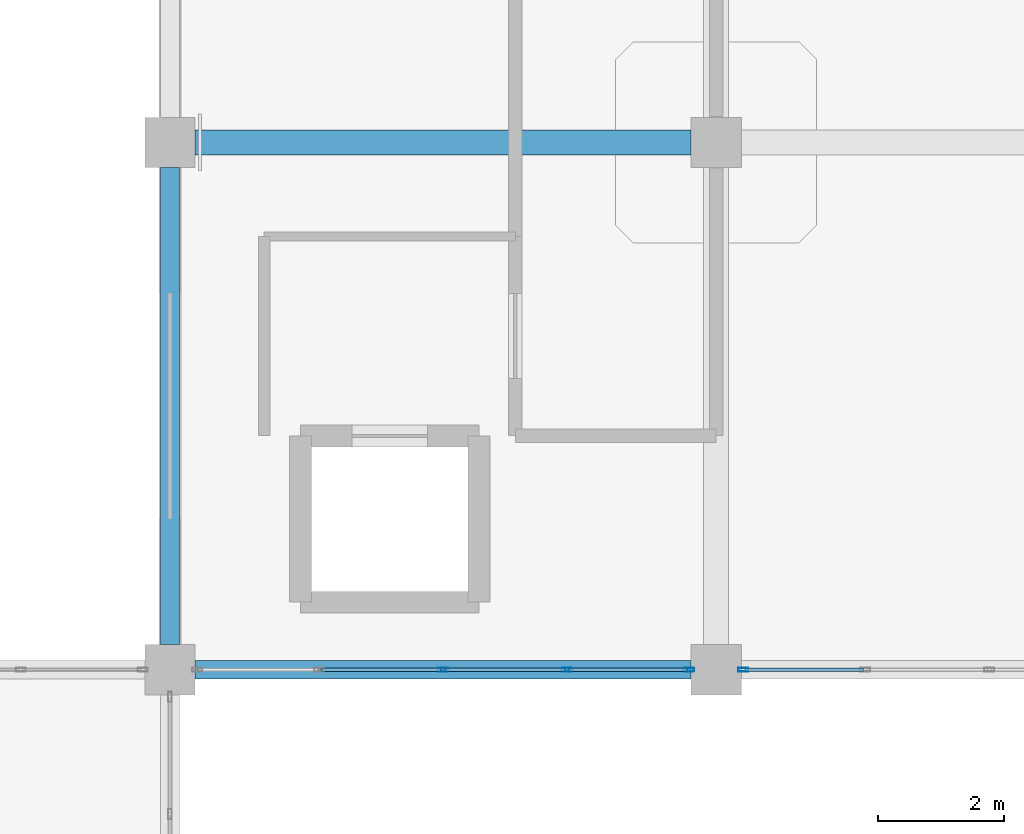
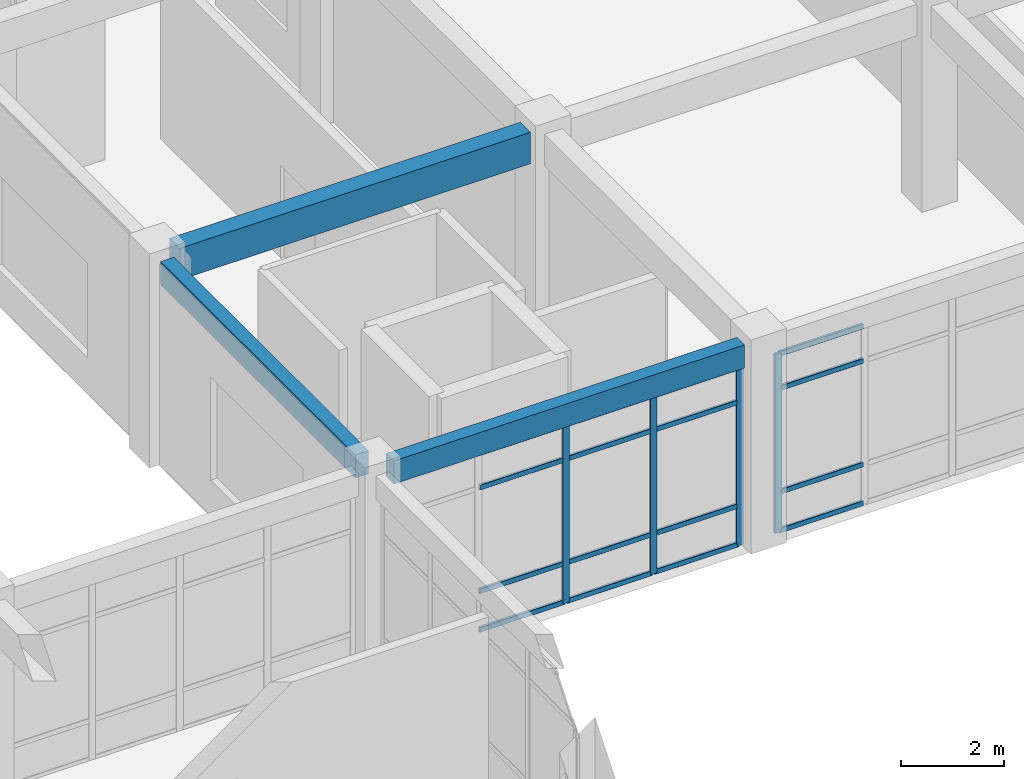
# One storey, part 52 of 96: 20 members, 3 beams, 2 elements without a shape of their own.
"""IFC4 building model written with IfcOpenShell, lengths in metres."""

import ifcopenshell
import ifcopenshell.guid

model = None  # the IFC model being written
_history = None  # IfcOwnerHistory: only IFC2X3 demands one
_inside = {}  # id of a spatial element -> (the spatial element, [elements in it])
_under = {}  # id of a project, library or spatial element -> (it, [spatial elements below it])
_declared = {}  # id of a project -> (the project, [libraries it declares])
_typed = {}  # id of a type object -> (the type object, [elements of that type])
_made_of = {}  # id of a material, layer set ... -> (it, [elements and type objects made of it])


def new_model(schema):
    """Start an empty IFC model of exactly this schema.

    Asked for "IFC4X3", IfcOpenShell would pick the latest addendum, in which some entities
    have other attributes; the version numbers below select the first issue.
    IFC2X3 requires an IfcOwnerHistory on every rooted entity: one is made here for all.
    """
    global model, _history
    if schema == "IFC4X3":
        model = ifcopenshell.file(schema_version=(4, 3, 0, 0))
    else:
        model = ifcopenshell.file(schema=schema)
    _inside.clear()
    _under.clear()
    _declared.clear()
    _typed.clear()
    _made_of.clear()
    _history = None
    if model.schema == "IFC2X3":
        org = make("IfcOrganization", Name="unknown")
        user = make(
            "IfcPersonAndOrganization",
            ThePerson=make("IfcPerson", FamilyName="unknown"),
            TheOrganization=org,
        )
        app = make(
            "IfcApplication",
            ApplicationDeveloper=org,
            Version="unknown",
            ApplicationFullName="unknown",
            ApplicationIdentifier="unknown",
        )
        _history = make(
            "IfcOwnerHistory",
            OwningUser=user,
            OwningApplication=app,
            ChangeAction="ADDED",
            CreationDate=0,
        )
    return model


def make(cls, **values):
    """One entity of the class cls with the attributes given. An attribute that is None is left unset."""
    return model.create_entity(
        cls, **{name: value for name, value in values.items() if value is not None}
    )


def rooted(cls, **values):
    """An entity with a GlobalId (a new one), such as an element, a storey or a relation."""
    return make(cls, GlobalId=ifcopenshell.guid.new(), OwnerHistory=_history, **values)


def si_unit(unit_type, name, prefix=None):
    """IfcSIUnit, for example si_unit("LENGTHUNIT", "METRE", prefix="MILLI")."""
    return make("IfcSIUnit", UnitType=unit_type, Prefix=prefix, Name=name)


def derived_unit(unit_type, elements):
    """IfcDerivedUnit: a product of units, each with its exponent."""
    return make(
        "IfcDerivedUnit",
        Elements=[
            make("IfcDerivedUnitElement", Unit=unit, Exponent=power)
            for unit, power in elements
        ],
        UnitType=unit_type,
    )


def assignment(units):
    """IfcUnitAssignment: the units of a project."""
    return None if units is None else make("IfcUnitAssignment", Units=units)


def point(xyz):
    """IfcCartesianPoint."""
    return None if xyz is None else make("IfcCartesianPoint", Coordinates=xyz)


def direction(xyz):
    """IfcDirection."""
    return None if xyz is None else make("IfcDirection", DirectionRatios=xyz)


def frame(location, z_axis=None, x_axis=None):
    """IfcAxis2Placement3D, a coordinate frame: its origin and axes. An axis left out is left unset."""
    return make(
        "IfcAxis2Placement3D",
        Location=point(location),
        Axis=direction(z_axis),
        RefDirection=direction(x_axis),
    )


def frame_2d(location, x_axis=None):
    """IfcAxis2Placement2D, a coordinate frame in the plane: its origin and x axis."""
    return make(
        "IfcAxis2Placement2D", Location=point(location), RefDirection=direction(x_axis)
    )


def origin():
    """The frame at (0, 0, 0) with its axes left unset."""
    return frame((0.0, 0.0, 0.0))


def origin_2d():
    """The frame at (0, 0) in the plane with its x axis left unset."""
    return frame_2d((0.0, 0.0))


def place(relative_to, where):
    """IfcLocalPlacement: puts the frame where relative to a parent placement (None: the world)."""
    return make(
        "IfcLocalPlacement", PlacementRelTo=relative_to, RelativePlacement=where
    )


def context(
    kind, dimensions, precision=None, world=None, true_north=None, identifier=None
):
    """IfcGeometricRepresentationContext, for example the 3D "Model" context."""
    return make(
        "IfcGeometricRepresentationContext",
        ContextIdentifier=identifier,
        ContextType=kind,
        CoordinateSpaceDimension=dimensions,
        Precision=precision,
        WorldCoordinateSystem=world,
        TrueNorth=true_north,
    )


def subcontext(parent, identifier, kind, view, scale=None):
    """IfcGeometricRepresentationSubContext, for example "Body" below "Model"."""
    return make(
        "IfcGeometricRepresentationSubContext",
        ContextIdentifier=identifier,
        ContextType=kind,
        ParentContext=parent,
        TargetScale=scale,
        TargetView=view,
    )


def project(units=None, contexts=None):
    """IfcProject with its units and contexts."""
    return rooted(
        "IfcProject",
        Name="project",
        RepresentationContexts=contexts,
        UnitsInContext=assignment(units),
    )


def spatial(cls, under=None, at=None, **own):
    """A site, building, storey or space (cls), placed at a placement, below another one or the project."""
    s = rooted(cls, ObjectPlacement=at, **own)
    if under is not None:
        _under.setdefault(under.id(), (under, []))[1].append(s)
    return s


def profile(cls, at=None, kind="AREA", **sizes):
    """A parametric profile (cls). Its sizes go by their IFC names, for example OverallWidth=200.0."""
    return make(cls, ProfileType=kind, Position=at, **sizes)


def rectangle(**sizes):
    """IfcRectangleProfileDef."""
    return profile("IfcRectangleProfileDef", **sizes)


def hollow_rectangle(**sizes):
    """IfcRectangleHollowProfileDef."""
    return profile("IfcRectangleHollowProfileDef", **sizes)


def extrude(swept, where, along, depth):
    """IfcExtrudedAreaSolid: the profile swept, set in the frame where, extruded along a direction by depth."""
    return make(
        "IfcExtrudedAreaSolid",
        SweptArea=swept,
        Position=where,
        ExtrudedDirection=direction(along),
        Depth=depth,
    )


def shape(context_of_items, identifier, shape_type, items):
    """IfcShapeRepresentation: the items that make up one representation, for example the "Body"."""
    return make(
        "IfcShapeRepresentation",
        ContextOfItems=context_of_items,
        RepresentationIdentifier=identifier,
        RepresentationType=shape_type,
        Items=items,
    )


def material(Name=None, Category=None):
    """IfcMaterial."""
    return make("IfcMaterial", Name=Name, Category=Category)


def layer(
    of_material, thickness, ventilated=None, Name=None, Category=None, Priority=None
):
    """IfcMaterialLayer: one layer of a wall or slab, of a material (None: an air gap)."""
    return make(
        "IfcMaterialLayer",
        Material=of_material,
        LayerThickness=thickness,
        IsVentilated=ventilated,
        Name=Name,
        Category=Category,
        Priority=Priority,
    )


def layer_set(layers, Name=None):
    """IfcMaterialLayerSet."""
    return make("IfcMaterialLayerSet", MaterialLayers=layers, LayerSetName=Name)


def material_profile(
    of_material, cross_section, Name=None, Category=None, Priority=None
):
    """IfcMaterialProfile: a cross section and its material."""
    return make(
        "IfcMaterialProfile",
        Name=Name,
        Material=of_material,
        Profile=cross_section,
        Priority=Priority,
        Category=Category,
    )


def profile_set(profiles, Name=None, composite=None):
    """IfcMaterialProfileSet."""
    return make(
        "IfcMaterialProfileSet",
        Name=Name,
        MaterialProfiles=profiles,
        CompositeProfile=composite,
    )


def made_of(thing, what):
    """Note that an element or type object is made of a material, layer set ...; save() writes the relation."""
    if what is not None:
        _made_of.setdefault(what.id(), (what, []))[1].append(thing)
    return thing


def type_object(cls, material=None, **own):
    """A type object (cls), such as IfcWallType, which elements share."""
    return made_of(rooted(cls, **own), material)


def element(
    cls,
    number,
    at=None,
    inside=None,
    cuts=None,
    type_object=None,
    material=None,
    context=None,
    identifier="Body",
    shape_type=None,
    held_by="IfcProductDefinitionShape",
    body=None,
    shapes=None,
    **own,
):
    """One element of the class cls, such as IfcWall. Its Tag is "e" and its number.

    at: its placement. inside: the storey or other place that contains it. cuts: it is an
    opening in that element (IfcRelVoidsElement). A single representation is given by context,
    identifier, shape_type and body (its items); several are given by shapes. held_by: the class
    of the entity that holds the representations. save() writes the other relations.
    """
    e = rooted(cls, Tag="e%d" % number, ObjectPlacement=at, **own)
    if body is not None:
        shapes = [shape(context, identifier, shape_type, body)]
    if shapes is not None:
        e.Representation = make(held_by, Representations=shapes)
    if inside is not None:
        _inside.setdefault(inside.id(), (inside, []))[1].append(e)
    if cuts is not None:
        rooted(
            "IfcRelVoidsElement", RelatingBuildingElement=cuts, RelatedOpeningElement=e
        )
    if type_object is not None:
        _typed.setdefault(type_object.id(), (type_object, []))[1].append(e)
    return made_of(e, material)


def aggregate(whole, parts):
    """IfcRelAggregates: a whole, such as a stair, and the parts it consists of."""
    return rooted("IfcRelAggregates", RelatingObject=whole, RelatedObjects=parts)


def save(model, path):
    """Write the relations noted so far, then the file.

    IfcRelAggregates (storeys below a building ...), IfcRelContainedInSpatialStructure (elements
    in a storey), IfcRelDefinesByType, IfcRelAssociatesMaterial and IfcRelDeclares: one each for
    every whole, place, type object, material and project.
    """
    for whole, parts in _under.values():
        aggregate(whole, parts)
    for where, things in _inside.values():
        rooted(
            "IfcRelContainedInSpatialStructure",
            RelatedElements=things,
            RelatingStructure=where,
        )
    for kind, things in _typed.values():
        rooted("IfcRelDefinesByType", RelatedObjects=things, RelatingType=kind)
    for what, things in _made_of.values():
        rooted("IfcRelAssociatesMaterial", RelatedObjects=things, RelatingMaterial=what)
    for by, libraries in _declared.values():
        rooted("IfcRelDeclares", RelatingContext=by, RelatedDefinitions=libraries)
    model.write(path)


model = new_model("IFC4")

# Units and contexts
model_context = context("Model", 3, precision=1e-05, world=origin(), true_north=direction((0.0, 1.0)))
body_context = subcontext(model_context, "Body", "Model", "MODEL_VIEW")
ifc_project = project(units=[si_unit("LENGTHUNIT", "METRE"), si_unit("AREAUNIT", "SQUARE_METRE"), si_unit("VOLUMEUNIT", "CUBIC_METRE"), si_unit("PLANEANGLEUNIT", "RADIAN"), si_unit("MASSUNIT", "GRAM", prefix="KILO"), derived_unit("THERMALTRANSMITTANCEUNIT", [(si_unit("MASSUNIT", "GRAM", prefix="KILO"), 1), (si_unit("TIMEUNIT", "SECOND"), -3), (si_unit("THERMODYNAMICTEMPERATUREUNIT", "KELVIN"), -1)])], contexts=[model_context])

# Site, building, storey
site_placement = place(None, origin())
site = spatial("IfcSite", under=ifc_project, at=site_placement, CompositionType="ELEMENT")
building_placement = place(site_placement, origin())
building = spatial("IfcBuilding", under=site, at=building_placement, Name="Qinzheling Arcade Emporium", CompositionType="ELEMENT")
storey_placement = place(building_placement, frame((0.0, 0.0, 21.60009765625)))
storey = spatial("IfcBuildingStorey", under=building, at=storey_placement, Name="L05", CompositionType="ELEMENT", Elevation=21.60009765625)

# Curtain wall, member
ifc_material_1 = material(Name="Anodised aluminium and solar-control double glazing", Category="aluminium")
ifc_layer = layer(ifc_material_1, 0.159912109375, Name="Anodised aluminium and solar-control double glazing", Category="aluminium")
ifc_layer_set = layer_set([ifc_layer], Name="Anodised aluminium and solar-control double glazing")
curtain_wall_type = type_object("IfcCurtainWallType", Name="Arcade Portal Glazed Curtain Wall", PredefinedType="NOTDEFINED", material=ifc_layer_set)
curtain_wall_1_placement = place(storey_placement, origin())
curtain_wall_1 = element("IfcCurtainWall", 1, at=curtain_wall_1_placement, inside=storey, type_object=curtain_wall_type, Name="Curtain Wall CW-L05-344", PredefinedType="NOTDEFINED")
ifc_material_2 = material(Name="Anodised aluminium 6063-T6", Category="aluminium")
ifc_material_profile_1 = material_profile(ifc_material_2, hollow_rectangle(XDim=0.06005859375, YDim=0.159912109375, WallThickness=0.00390625, InnerFilletRadius=0.00390625, OuterFilletRadius=0.008056640625, at=origin_2d()), Name="RHS 160x60x4", Category="aluminium")
ifc_profile_set_1 = profile_set([ifc_material_profile_1], Name="Anodised aluminium 6063-T6")
member_type_1 = type_object("IfcMemberType", Name="Curtain Wall Mullion RHS160x60", PredefinedType="MULLION", material=ifc_profile_set_1)
member_1_placement = place(storey_placement, frame((113.531982421875, 73.800048828125, 0.0), z_axis=(0.0, 0.0, 1.0), x_axis=(0.0, -1.0, 0.0)))
member_1 = element("IfcMember", 2, at=member_1_placement, type_object=member_type_1, Name="CW05 mullion 5", PredefinedType="MULLION", context=body_context, shape_type="SweptSolid", body=[
    extrude(hollow_rectangle(XDim=0.06005859375, YDim=0.159912109375, WallThickness=0.00390625, InnerFilletRadius=0.00390625, OuterFilletRadius=0.008056640625, at=origin_2d()), origin(), (0.0, 0.0, 1.0), 4.27001953125),
])

# Curtain wall, members
curtain_wall_2_placement = place(storey_placement, origin())
curtain_wall_2 = element("IfcCurtainWall", 3, at=curtain_wall_2_placement, inside=storey, type_object=curtain_wall_type, Name="Curtain Wall CW-L05-345", PredefinedType="NOTDEFINED")
member_2_placement = place(storey_placement, frame((112.66796875, 73.800048828125, 0.0), z_axis=(0.0, 0.0, 1.0), x_axis=(0.0, -1.0, 0.0)))
member_2 = element("IfcMember", 4, at=member_2_placement, type_object=member_type_1, Name="CW05 mullion 1", PredefinedType="MULLION", context=body_context, shape_type="SweptSolid", body=[
    extrude(hollow_rectangle(XDim=0.06005859375, YDim=0.159912109375, WallThickness=0.00390625, InnerFilletRadius=0.00390625, OuterFilletRadius=0.008056640625, at=origin_2d()), origin(), (0.0, 0.0, 1.0), 4.27001953125),
])
member_3_placement = place(storey_placement, frame((110.72412109375, 73.800048828125, 0.0), z_axis=(0.0, 0.0, 1.0), x_axis=(0.0, -1.0, 0.0)))
member_3 = element("IfcMember", 5, at=member_3_placement, type_object=member_type_1, Name="CW05 mullion 2", PredefinedType="MULLION", context=body_context, shape_type="SweptSolid", body=[
    extrude(hollow_rectangle(XDim=0.06005859375, YDim=0.159912109375, WallThickness=0.00390625, InnerFilletRadius=0.00390625, OuterFilletRadius=0.008056640625, at=origin_2d()), origin(), (0.0, 0.0, 1.0), 4.27001953125),
])
member_4_placement = place(storey_placement, frame((108.75, 73.800048828125, 0.0), z_axis=(0.0, 0.0, 1.0), x_axis=(0.0, -1.0, 0.0)))
member_4 = element("IfcMember", 6, at=member_4_placement, type_object=member_type_1, Name="CW05 mullion 3", PredefinedType="MULLION", context=body_context, shape_type="SweptSolid", body=[
    extrude(hollow_rectangle(XDim=0.06005859375, YDim=0.159912109375, WallThickness=0.00390625, InnerFilletRadius=0.00390625, OuterFilletRadius=0.008056640625, at=origin_2d()), origin(), (0.0, 0.0, 1.0), 4.27001953125),
])

# Member
ifc_material_profile_2 = material_profile(ifc_material_2, hollow_rectangle(XDim=0.06005859375, YDim=0.1201171875, WallThickness=0.00390625, InnerFilletRadius=0.00390625, OuterFilletRadius=0.008056640625, at=origin_2d()), Name="RHS 120x60x4", Category="aluminium")
ifc_profile_set_2 = profile_set([ifc_material_profile_2], Name="Anodised aluminium 6063-T6")
member_type_2 = type_object("IfcMemberType", Name="Curtain Wall Transom RHS120x60", PredefinedType="USERDEFINED", material=ifc_profile_set_2)
member_5_placement = place(storey_placement, frame((115.446044921875, 73.800048828125, 0.02978515625), z_axis=(-1.0, 0.0, 0.0), x_axis=(0.0, -1.0, 0.0)))
member_5 = element("IfcMember", 7, at=member_5_placement, type_object=member_type_2, Name="CW05 transom 4.1", ObjectType="TRANSOM", PredefinedType="USERDEFINED", context=body_context, shape_type="SweptSolid", body=[
    extrude(hollow_rectangle(XDim=0.06005859375, YDim=0.1201171875, WallThickness=0.00390625, InnerFilletRadius=0.00390625, OuterFilletRadius=0.008056640625, at=origin_2d()), origin(), (0.0, 0.0, 1.0), 1.884033203125),
])

member_6_placement = place(storey_placement, frame((115.446044921875, 73.800048828125, 0.949951171875), z_axis=(-1.0, 0.0, 0.0), x_axis=(0.0, -1.0, 0.0)))
member_6 = element("IfcMember", 8, at=member_6_placement, type_object=member_type_2, Name="CW05 transom 4.2", ObjectType="TRANSOM", PredefinedType="USERDEFINED", context=body_context, shape_type="SweptSolid", body=[
    extrude(hollow_rectangle(XDim=0.06005859375, YDim=0.1201171875, WallThickness=0.00390625, InnerFilletRadius=0.00390625, OuterFilletRadius=0.008056640625, at=origin_2d()), origin(), (0.0, 0.0, 1.0), 1.884033203125),
])

member_7_placement = place(storey_placement, frame((115.446044921875, 73.800048828125, 3.419921875), z_axis=(-1.0, 0.0, 0.0), x_axis=(0.0, -1.0, 0.0)))
member_7 = element("IfcMember", 9, at=member_7_placement, type_object=member_type_2, Name="CW05 transom 4.3", ObjectType="TRANSOM", PredefinedType="USERDEFINED", context=body_context, shape_type="SweptSolid", body=[
    extrude(hollow_rectangle(XDim=0.06005859375, YDim=0.1201171875, WallThickness=0.00390625, InnerFilletRadius=0.00390625, OuterFilletRadius=0.008056640625, at=origin_2d()), origin(), (0.0, 0.0, 1.0), 1.884033203125),
])

member_8_placement = place(storey_placement, frame((115.446044921875, 73.800048828125, 4.239990234375), z_axis=(-1.0, 0.0, 0.0), x_axis=(0.0, -1.0, 0.0)))
member_8 = element("IfcMember", 10, at=member_8_placement, type_object=member_type_2, Name="CW05 transom 4.4", ObjectType="TRANSOM", PredefinedType="USERDEFINED", context=body_context, shape_type="SweptSolid", body=[
    extrude(hollow_rectangle(XDim=0.06005859375, YDim=0.1201171875, WallThickness=0.00390625, InnerFilletRadius=0.00390625, OuterFilletRadius=0.008056640625, at=origin_2d()), origin(), (0.0, 0.0, 1.0), 1.884033203125),
])

aggregate(curtain_wall_1, [member_1, member_5, member_6, member_7, member_8])

member_9_placement = place(storey_placement, frame((112.637939453125, 73.800048828125, 0.02978515625), z_axis=(-1.0, 0.0, 0.0), x_axis=(0.0, -1.0, 0.0)))
member_9 = element("IfcMember", 11, at=member_9_placement, type_object=member_type_2, Name="CW05 transom 1.1", ObjectType="TRANSOM", PredefinedType="USERDEFINED", context=body_context, shape_type="SweptSolid", body=[
    extrude(hollow_rectangle(XDim=0.06005859375, YDim=0.1201171875, WallThickness=0.00390625, InnerFilletRadius=0.00390625, OuterFilletRadius=0.008056640625, at=origin_2d()), origin(), (0.0, 0.0, 1.0), 1.884033203125),
])

member_10_placement = place(storey_placement, frame((112.637939453125, 73.800048828125, 0.949951171875), z_axis=(-1.0, 0.0, 0.0), x_axis=(0.0, -1.0, 0.0)))
member_10 = element("IfcMember", 12, at=member_10_placement, type_object=member_type_2, Name="CW05 transom 1.2", ObjectType="TRANSOM", PredefinedType="USERDEFINED", context=body_context, shape_type="SweptSolid", body=[
    extrude(hollow_rectangle(XDim=0.06005859375, YDim=0.1201171875, WallThickness=0.00390625, InnerFilletRadius=0.00390625, OuterFilletRadius=0.008056640625, at=origin_2d()), origin(), (0.0, 0.0, 1.0), 1.884033203125),
])

member_11_placement = place(storey_placement, frame((112.637939453125, 73.800048828125, 3.419921875), z_axis=(-1.0, 0.0, 0.0), x_axis=(0.0, -1.0, 0.0)))
member_11 = element("IfcMember", 13, at=member_11_placement, type_object=member_type_2, Name="CW05 transom 1.3", ObjectType="TRANSOM", PredefinedType="USERDEFINED", context=body_context, shape_type="SweptSolid", body=[
    extrude(hollow_rectangle(XDim=0.06005859375, YDim=0.1201171875, WallThickness=0.00390625, InnerFilletRadius=0.00390625, OuterFilletRadius=0.008056640625, at=origin_2d()), origin(), (0.0, 0.0, 1.0), 1.884033203125),
])

member_12_placement = place(storey_placement, frame((112.637939453125, 73.800048828125, 4.239990234375), z_axis=(-1.0, 0.0, 0.0), x_axis=(0.0, -1.0, 0.0)))
member_12 = element("IfcMember", 14, at=member_12_placement, type_object=member_type_2, Name="CW05 transom 1.4", ObjectType="TRANSOM", PredefinedType="USERDEFINED", context=body_context, shape_type="SweptSolid", body=[
    extrude(hollow_rectangle(XDim=0.06005859375, YDim=0.1201171875, WallThickness=0.00390625, InnerFilletRadius=0.00390625, OuterFilletRadius=0.008056640625, at=origin_2d()), origin(), (0.0, 0.0, 1.0), 1.884033203125),
])

member_13_placement = place(storey_placement, frame((110.694091796875, 73.800048828125, 0.02978515625), z_axis=(-1.0, 0.0, 0.0), x_axis=(0.0, -1.0, 0.0)))
member_13 = element("IfcMember", 15, at=member_13_placement, type_object=member_type_2, Name="CW05 transom 2.1", ObjectType="TRANSOM", PredefinedType="USERDEFINED", context=body_context, shape_type="SweptSolid", body=[
    extrude(hollow_rectangle(XDim=0.06005859375, YDim=0.1201171875, WallThickness=0.00390625, InnerFilletRadius=0.00390625, OuterFilletRadius=0.008056640625, at=origin_2d()), origin(), (0.0, 0.0, 1.0), 1.9140625),
])

member_14_placement = place(storey_placement, frame((110.694091796875, 73.800048828125, 0.949951171875), z_axis=(-1.0, 0.0, 0.0), x_axis=(0.0, -1.0, 0.0)))
member_14 = element("IfcMember", 16, at=member_14_placement, type_object=member_type_2, Name="CW05 transom 2.2", ObjectType="TRANSOM", PredefinedType="USERDEFINED", context=body_context, shape_type="SweptSolid", body=[
    extrude(hollow_rectangle(XDim=0.06005859375, YDim=0.1201171875, WallThickness=0.00390625, InnerFilletRadius=0.00390625, OuterFilletRadius=0.008056640625, at=origin_2d()), origin(), (0.0, 0.0, 1.0), 1.9140625),
])

member_15_placement = place(storey_placement, frame((110.694091796875, 73.800048828125, 3.419921875), z_axis=(-1.0, 0.0, 0.0), x_axis=(0.0, -1.0, 0.0)))
member_15 = element("IfcMember", 17, at=member_15_placement, type_object=member_type_2, Name="CW05 transom 2.3", ObjectType="TRANSOM", PredefinedType="USERDEFINED", context=body_context, shape_type="SweptSolid", body=[
    extrude(hollow_rectangle(XDim=0.06005859375, YDim=0.1201171875, WallThickness=0.00390625, InnerFilletRadius=0.00390625, OuterFilletRadius=0.008056640625, at=origin_2d()), origin(), (0.0, 0.0, 1.0), 1.9140625),
])

member_16_placement = place(storey_placement, frame((110.694091796875, 73.800048828125, 4.239990234375), z_axis=(-1.0, 0.0, 0.0), x_axis=(0.0, -1.0, 0.0)))
member_16 = element("IfcMember", 18, at=member_16_placement, type_object=member_type_2, Name="CW05 transom 2.4", ObjectType="TRANSOM", PredefinedType="USERDEFINED", context=body_context, shape_type="SweptSolid", body=[
    extrude(hollow_rectangle(XDim=0.06005859375, YDim=0.1201171875, WallThickness=0.00390625, InnerFilletRadius=0.00390625, OuterFilletRadius=0.008056640625, at=origin_2d()), origin(), (0.0, 0.0, 1.0), 1.9140625),
])

member_17_placement = place(storey_placement, frame((108.719970703125, 73.800048828125, 0.02978515625), z_axis=(-1.0, 0.0, 0.0), x_axis=(0.0, -1.0, 0.0)))
member_17 = element("IfcMember", 19, at=member_17_placement, type_object=member_type_2, Name="CW05 transom 3.1", ObjectType="TRANSOM", PredefinedType="USERDEFINED", context=body_context, shape_type="SweptSolid", body=[
    extrude(hollow_rectangle(XDim=0.06005859375, YDim=0.1201171875, WallThickness=0.00390625, InnerFilletRadius=0.00390625, OuterFilletRadius=0.008056640625, at=origin_2d()), origin(), (0.0, 0.0, 1.0), 1.9140625),
])

member_18_placement = place(storey_placement, frame((108.719970703125, 73.800048828125, 0.949951171875), z_axis=(-1.0, 0.0, 0.0), x_axis=(0.0, -1.0, 0.0)))
member_18 = element("IfcMember", 20, at=member_18_placement, type_object=member_type_2, Name="CW05 transom 3.2", ObjectType="TRANSOM", PredefinedType="USERDEFINED", context=body_context, shape_type="SweptSolid", body=[
    extrude(hollow_rectangle(XDim=0.06005859375, YDim=0.1201171875, WallThickness=0.00390625, InnerFilletRadius=0.00390625, OuterFilletRadius=0.008056640625, at=origin_2d()), origin(), (0.0, 0.0, 1.0), 1.9140625),
])

member_19_placement = place(storey_placement, frame((108.719970703125, 73.800048828125, 3.419921875), z_axis=(-1.0, 0.0, 0.0), x_axis=(0.0, -1.0, 0.0)))
member_19 = element("IfcMember", 21, at=member_19_placement, type_object=member_type_2, Name="CW05 transom 3.3", ObjectType="TRANSOM", PredefinedType="USERDEFINED", context=body_context, shape_type="SweptSolid", body=[
    extrude(hollow_rectangle(XDim=0.06005859375, YDim=0.1201171875, WallThickness=0.00390625, InnerFilletRadius=0.00390625, OuterFilletRadius=0.008056640625, at=origin_2d()), origin(), (0.0, 0.0, 1.0), 1.9140625),
])

member_20_placement = place(storey_placement, frame((108.719970703125, 73.800048828125, 4.239990234375), z_axis=(-1.0, 0.0, 0.0), x_axis=(0.0, -1.0, 0.0)))
member_20 = element("IfcMember", 22, at=member_20_placement, type_object=member_type_2, Name="CW05 transom 3.4", ObjectType="TRANSOM", PredefinedType="USERDEFINED", context=body_context, shape_type="SweptSolid", body=[
    extrude(hollow_rectangle(XDim=0.06005859375, YDim=0.1201171875, WallThickness=0.00390625, InnerFilletRadius=0.00390625, OuterFilletRadius=0.008056640625, at=origin_2d()), origin(), (0.0, 0.0, 1.0), 1.9140625),
])

aggregate(curtain_wall_2, [member_2, member_3, member_4, member_9, member_10, member_11, member_12, member_13, member_14, member_15, member_16, member_17, member_18, member_19, member_20])

# Beams
ifc_material_3 = material(Name="Concrete C40", Category="concrete")
ifc_material_profile_3 = material_profile(ifc_material_3, rectangle(XDim=0.39990234375, YDim=0.75, at=origin_2d()), Name="RC 400x750", Category="concrete")
ifc_profile_set_3 = profile_set([ifc_material_profile_3], Name="Concrete C40")
beam_type_1 = type_object("IfcBeamType", Name="RC Interior Tie Beam 400x750 C40", PredefinedType="BEAM", material=ifc_profile_set_3)
beam_1_placement = place(storey_placement, frame((104.800048828125, 82.199951171875, 4.4599609375), z_axis=(1.0, 0.0, 0.0), x_axis=(0.0, 1.0, 0.0)))
element("IfcBeam", 23, at=beam_1_placement, inside=storey, type_object=beam_type_1, Name="Beam BM-L05-X-K-13", PredefinedType="BEAM", context=body_context, shape_type="SweptSolid", body=[
    extrude(rectangle(XDim=0.39990234375, YDim=0.75, at=origin_2d()), origin(), (0.0, 0.0, 1.0), 7.89990234375),
])
ifc_material_profile_4 = material_profile(ifc_material_3, rectangle(XDim=0.300048828125, YDim=0.550048828125, at=origin_2d()), Name="RC 300x550", Category="concrete")
ifc_profile_set_4 = profile_set([ifc_material_profile_4], Name="Concrete C40")
beam_type_2 = type_object("IfcBeamType", Name="RC Terrace Spandrel Beam 300x550 C40", PredefinedType="SPANDREL", material=ifc_profile_set_4)
beam_2_placement = place(storey_placement, frame((104.800048828125, 73.800048828125, 4.559814453125), z_axis=(1.0, 0.0, 0.0), x_axis=(0.0, 1.0, 0.0)))
element("IfcBeam", 24, at=beam_2_placement, inside=storey, type_object=beam_type_2, Name="Beam BM-L05-X-J-13", PredefinedType="SPANDREL", context=body_context, shape_type="SweptSolid", body=[
    extrude(rectangle(XDim=0.300048828125, YDim=0.550048828125, at=origin_2d()), origin(), (0.0, 0.0, 1.0), 7.89990234375),
])
beam_3_placement = place(storey_placement, frame((104.39990234375, 74.199951171875, 4.559814453125), z_axis=(0.0, 1.0, 0.0), x_axis=(-1.0, 0.0, 0.0)))
element("IfcBeam", 25, at=beam_3_placement, inside=storey, type_object=beam_type_2, Name="Beam BM-L05-Y-13-J", PredefinedType="SPANDREL", context=body_context, shape_type="SweptSolid", body=[
    extrude(rectangle(XDim=0.300048828125, YDim=0.550048828125, at=origin_2d()), origin(), (0.0, 0.0, 1.0), 7.60009765625),
])

save(model, "model.ifc")
